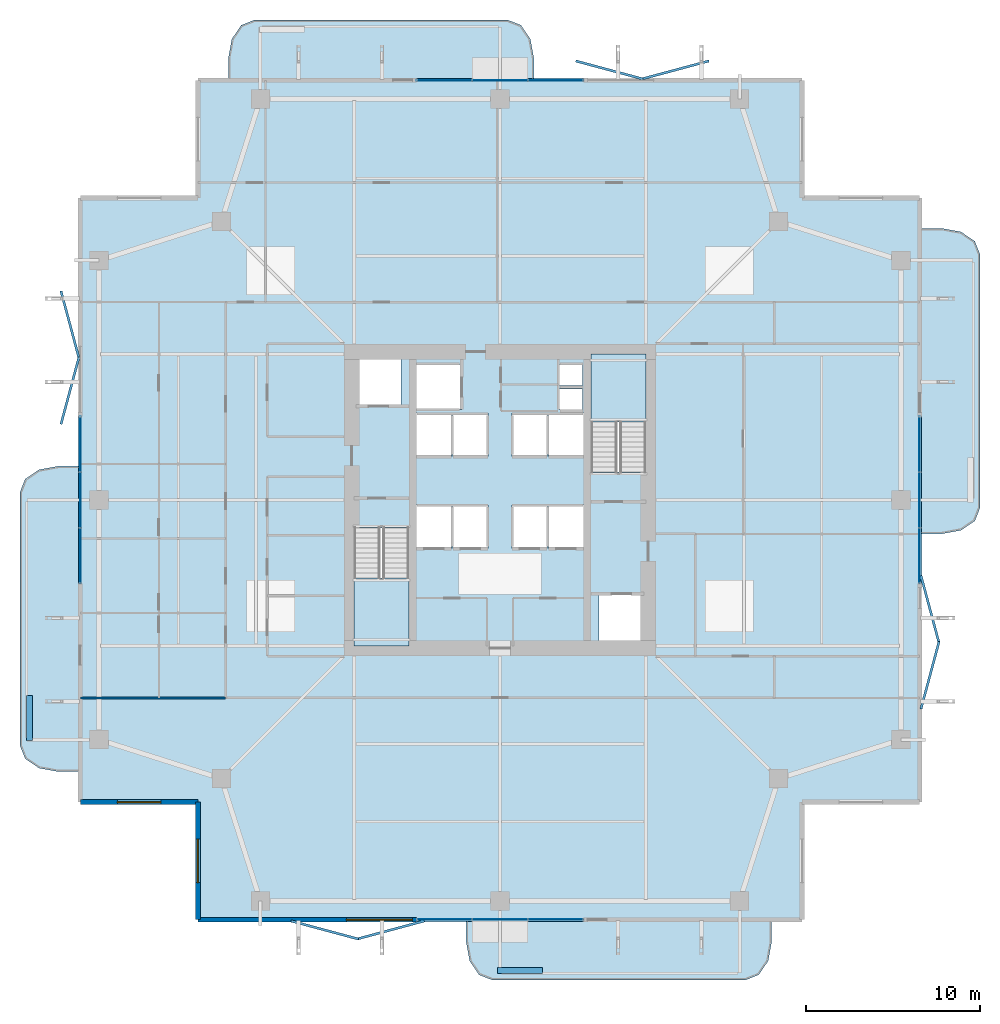
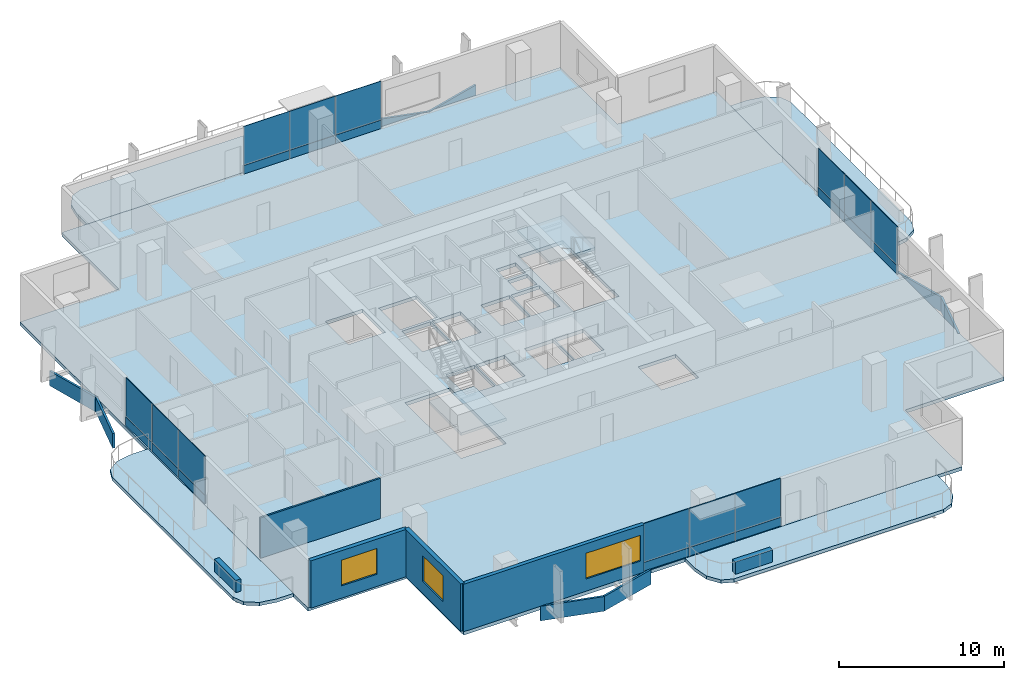
# One storey, part 17 of 25: 32 plates, 7 slabs, 6 walls, 3 windows, 3 openings, 6 elements without a shape of their own.
"""IFC4 building model written with IfcOpenShell, lengths in metres."""

from ifc_helpers import new_model, si_unit, direction, frame, frame_2d, origin, origin_2d, place, context, subcontext, project, spatial, polyline, rectangle, outline, extrude, material, layer, layer_set, type_object, element, fill, aggregate, save


model = new_model("IFC4")

# Units and contexts
model_context = context("Model", 3, precision=1e-05, world=origin(), true_north=direction((0.0, 1.0)))
body_context = subcontext(model_context, "Body", "Model", "MODEL_VIEW")
ifc_project = project(units=[si_unit("LENGTHUNIT", "METRE"), si_unit("AREAUNIT", "SQUARE_METRE"), si_unit("VOLUMEUNIT", "CUBIC_METRE"), si_unit("PLANEANGLEUNIT", "RADIAN"), si_unit("MASSUNIT", "GRAM", prefix="KILO")], contexts=[model_context])

# Site, building, storey
site_placement = place(None, origin())
site = spatial("IfcSite", under=ifc_project, at=site_placement, CompositionType="ELEMENT")
building_placement = place(site_placement, origin())
building = spatial("IfcBuilding", under=site, at=building_placement, Name="Belovzor Exchange Tower", CompositionType="ELEMENT")
storey_placement = place(building_placement, frame((0.0, 0.0, 153.300048828125)))
storey = spatial("IfcBuildingStorey", under=building, at=storey_placement, Name="L37", CompositionType="ELEMENT", Elevation=153.300048828125)

# Slab
ifc_material_1 = material(Name="Concrete C40/50", Category="concrete")
ifc_layer_1 = layer(ifc_material_1, 0.2548828125)
ifc_layer_set_1 = layer_set([ifc_layer_1], Name="Concrete C40/50")
slab_type_1 = type_object("IfcSlabType", Name="Composite Waist Floor Deck Slab 255", PredefinedType="FLOOR", material=ifc_layer_set_1)
slab_1_placement = place(storey_placement, frame((0.0, 0.0, -0.255126953125)))
element("IfcSlab", 1, at=slab_1_placement, inside=storey, type_object=slab_type_1, Name="SL-F255 Structural Slab L37", PredefinedType="FLOOR", context=body_context, shape_type="SweptSolid", body=[
    extrude(outline(polyline([(11.39990234375, 4.5), (46.199951171875, 4.5), (46.199951171875, 11.39990234375), (53.10009765625, 11.39990234375), (53.10009765625, 46.199951171875), (46.199951171875, 46.199951171875), (46.199951171875, 53.10009765625), (11.39990234375, 53.10009765625), (11.39990234375, 46.199951171875), (4.5, 46.199951171875), (4.5, 11.39990234375), (11.39990234375, 11.39990234375), (11.39990234375, 4.5)]), holes=[polyline([(20.39990234375, 27.175048828125), (20.39990234375, 20.39990234375), (23.550048828125, 20.39990234375), (23.550048828125, 27.175048828125), (20.39990234375, 27.175048828125)]), polyline([(37.199951171875, 30.425048828125), (37.199951171875, 37.199951171875), (34.050048828125, 37.199951171875), (34.050048828125, 30.425048828125), (37.199951171875, 30.425048828125)]), polyline([(20.5, 34.199951171875), (23.10009765625, 34.199951171875), (23.10009765625, 37.0), (20.5, 37.0), (20.5, 34.199951171875)]), polyline([(34.5, 20.60009765625), (37.10009765625, 20.60009765625), (37.10009765625, 23.39990234375), (34.5, 23.39990234375), (34.5, 20.60009765625)]), polyline([(24.0, 34.0), (26.60009765625, 34.0), (26.60009765625, 36.60009765625), (24.0, 36.60009765625), (24.0, 34.0)]), polyline([(24.0, 26.0), (26.0, 26.0), (26.0, 28.5), (24.0, 28.5), (24.0, 26.0)]), polyline([(26.10009765625, 26.0), (28.10009765625, 26.0), (28.10009765625, 28.5), (26.10009765625, 28.5), (26.10009765625, 26.0)]), polyline([(29.5, 26.0), (31.5, 26.0), (31.5, 28.5), (29.5, 28.5), (29.5, 26.0)]), polyline([(31.60009765625, 26.0), (33.60009765625, 26.0), (33.60009765625, 28.5), (31.60009765625, 28.5), (31.60009765625, 26.0)]), polyline([(24.0, 31.300048828125), (26.0, 31.300048828125), (26.0, 33.800048828125), (24.0, 33.800048828125), (24.0, 31.300048828125)]), polyline([(26.10009765625, 31.300048828125), (28.10009765625, 31.300048828125), (28.10009765625, 33.800048828125), (26.10009765625, 33.800048828125), (26.10009765625, 31.300048828125)]), polyline([(29.5, 31.300048828125), (31.5, 31.300048828125), (31.5, 33.800048828125), (29.5, 33.800048828125), (29.5, 31.300048828125)]), polyline([(31.60009765625, 31.300048828125), (33.60009765625, 31.300048828125), (33.60009765625, 33.800048828125), (31.60009765625, 33.800048828125), (31.60009765625, 31.300048828125)]), polyline([(32.199951171875, 34.0), (33.550048828125, 34.0), (33.550048828125, 35.199951171875), (32.199951171875, 35.199951171875), (32.199951171875, 34.0)]), polyline([(32.199951171875, 35.39990234375), (33.550048828125, 35.39990234375), (33.550048828125, 36.60009765625), (32.199951171875, 36.60009765625), (32.199951171875, 35.39990234375)])]), origin(), (0.0, 0.0, 1.0), 0.255126953125),
])

# Curtain wall, plates
ifc_material_2 = material(Name="Anodised Aluminium Framing", Category="aluminium")
ifc_layer_2 = layer(ifc_material_2, 0.179931640625)
ifc_layer_set_2 = layer_set([ifc_layer_2], Name="Anodised Aluminium Framing")
curtain_wall_type = type_object("IfcCurtainWallType", Name="Recessed Loggia Low-Iron Triple-Glazed Curtain Wall", PredefinedType="NOTDEFINED", material=ifc_layer_set_2)
curtain_wall_1_placement = place(storey_placement, origin())
curtain_wall_1 = element("IfcCurtainWall", 2, at=curtain_wall_1_placement, inside=storey, type_object=curtain_wall_type, Name="CW3 Recessed Loggia Low-Iron Triple-Glazed Curtain Wall L37", PredefinedType="NOTDEFINED")
ifc_material_3 = material(Name="Solar-Control Triple Glazing", Category="glass")
ifc_layer_3 = layer(ifc_material_3, 0.0439453125)
ifc_layer_set_3 = layer_set([ifc_layer_3], Name="Solar-Control Triple Glazing")
plate_type_1 = type_object("IfcPlateType", Name="Insulated Solar Glazing Curtain Panel 44", PredefinedType="CURTAIN_PANEL", material=ifc_layer_set_3)
plate_1_placement = place(storey_placement, frame((32.0, 4.6298828125, 0.630859375), z_axis=(0.0, 0.0, 1.0), x_axis=(-1.0, 0.0, 0.0)))
plate_1 = element("IfcPlate", 3, at=plate_1_placement, type_object=plate_type_1, Name="GLZ-44 Glazed Curtain Panel 1", PredefinedType="CURTAIN_PANEL", context=body_context, shape_type="SweptSolid", body=[
    extrude(rectangle(XDim=3.18408203125, YDim=0.0439453125, at=origin_2d()), origin(), (0.0, 0.0, 1.0), 2.864013671875),
])
plate_2_placement = place(storey_placement, frame((28.800048828125, 4.6298828125, 0.630859375), z_axis=(0.0, 0.0, 1.0), x_axis=(-1.0, 0.0, 0.0)))
plate_2 = element("IfcPlate", 4, at=plate_2_placement, type_object=plate_type_1, Name="GLZ-44 Glazed Curtain Panel 2", PredefinedType="CURTAIN_PANEL", context=body_context, shape_type="SweptSolid", body=[
    extrude(rectangle(XDim=3.18408203125, YDim=0.0439453125, at=origin_2d()), origin(), (0.0, 0.0, 1.0), 2.864013671875),
])
plate_3_placement = place(storey_placement, frame((25.60009765625, 4.6298828125, 0.630859375), z_axis=(0.0, 0.0, 1.0), x_axis=(-1.0, 0.0, 0.0)))
plate_3 = element("IfcPlate", 5, at=plate_3_placement, type_object=plate_type_1, Name="GLZ-44 Glazed Curtain Panel 3", PredefinedType="CURTAIN_PANEL", context=body_context, shape_type="SweptSolid", body=[
    extrude(rectangle(XDim=3.18408203125, YDim=0.0439453125, at=origin_2d()), origin(), (0.0, 0.0, 1.0), 2.864013671875),
])

curtain_wall_2_placement = place(storey_placement, origin())
curtain_wall_2 = element("IfcCurtainWall", 6, at=curtain_wall_2_placement, inside=storey, type_object=curtain_wall_type, Name="CW3 Recessed Loggia Low-Iron Triple-Glazed Curtain Wall L37", PredefinedType="NOTDEFINED")
plate_4_placement = place(storey_placement, frame((25.60009765625, 52.969970703125, 0.630859375), z_axis=(0.0, 0.0, 1.0), x_axis=(1.0, 0.0, 0.0)))
plate_4 = element("IfcPlate", 7, at=plate_4_placement, type_object=plate_type_1, Name="GLZ-44 Glazed Curtain Panel 1", PredefinedType="CURTAIN_PANEL", context=body_context, shape_type="SweptSolid", body=[
    extrude(rectangle(XDim=3.18408203125, YDim=0.0439453125, at=origin_2d()), origin(), (0.0, 0.0, 1.0), 2.864013671875),
])
plate_5_placement = place(storey_placement, frame((28.800048828125, 52.969970703125, 0.630859375), z_axis=(0.0, 0.0, 1.0), x_axis=(1.0, 0.0, 0.0)))
plate_5 = element("IfcPlate", 8, at=plate_5_placement, type_object=plate_type_1, Name="GLZ-44 Glazed Curtain Panel 2", PredefinedType="CURTAIN_PANEL", context=body_context, shape_type="SweptSolid", body=[
    extrude(rectangle(XDim=3.18408203125, YDim=0.0439453125, at=origin_2d()), origin(), (0.0, 0.0, 1.0), 2.864013671875),
])
plate_6_placement = place(storey_placement, frame((32.0, 52.969970703125, 0.630859375), z_axis=(0.0, 0.0, 1.0), x_axis=(1.0, 0.0, 0.0)))
plate_6 = element("IfcPlate", 9, at=plate_6_placement, type_object=plate_type_1, Name="GLZ-44 Glazed Curtain Panel 3", PredefinedType="CURTAIN_PANEL", context=body_context, shape_type="SweptSolid", body=[
    extrude(rectangle(XDim=3.18408203125, YDim=0.0439453125, at=origin_2d()), origin(), (0.0, 0.0, 1.0), 2.864013671875),
])

curtain_wall_3_placement = place(storey_placement, origin())
curtain_wall_3 = element("IfcCurtainWall", 10, at=curtain_wall_3_placement, inside=storey, type_object=curtain_wall_type, Name="CW3 Recessed Loggia Low-Iron Triple-Glazed Curtain Wall L37", PredefinedType="NOTDEFINED")
plate_7_placement = place(storey_placement, frame((4.6298828125, 25.60009765625, 0.630859375), z_axis=(0.0, 0.0, 1.0), x_axis=(0.0, 1.0, 0.0)))
plate_7 = element("IfcPlate", 11, at=plate_7_placement, type_object=plate_type_1, Name="GLZ-44 Glazed Curtain Panel 1", PredefinedType="CURTAIN_PANEL", context=body_context, shape_type="SweptSolid", body=[
    extrude(rectangle(XDim=3.18408203125, YDim=0.0439453125, at=origin_2d()), origin(), (0.0, 0.0, 1.0), 2.864013671875),
])
plate_8_placement = place(storey_placement, frame((4.6298828125, 28.800048828125, 0.630859375), z_axis=(0.0, 0.0, 1.0), x_axis=(0.0, 1.0, 0.0)))
plate_8 = element("IfcPlate", 12, at=plate_8_placement, type_object=plate_type_1, Name="GLZ-44 Glazed Curtain Panel 2", PredefinedType="CURTAIN_PANEL", context=body_context, shape_type="SweptSolid", body=[
    extrude(rectangle(XDim=3.18408203125, YDim=0.0439453125, at=origin_2d()), origin(), (0.0, 0.0, 1.0), 2.864013671875),
])
plate_9_placement = place(storey_placement, frame((4.6298828125, 32.0, 0.630859375), z_axis=(0.0, 0.0, 1.0), x_axis=(0.0, 1.0, 0.0)))
plate_9 = element("IfcPlate", 13, at=plate_9_placement, type_object=plate_type_1, Name="GLZ-44 Glazed Curtain Panel 3", PredefinedType="CURTAIN_PANEL", context=body_context, shape_type="SweptSolid", body=[
    extrude(rectangle(XDim=3.18408203125, YDim=0.0439453125, at=origin_2d()), origin(), (0.0, 0.0, 1.0), 2.864013671875),
])

curtain_wall_4_placement = place(storey_placement, origin())
curtain_wall_4 = element("IfcCurtainWall", 14, at=curtain_wall_4_placement, inside=storey, type_object=curtain_wall_type, Name="CW3 Recessed Loggia Low-Iron Triple-Glazed Curtain Wall L37", PredefinedType="NOTDEFINED")
plate_10_placement = place(storey_placement, frame((52.969970703125, 32.0, 0.630859375), z_axis=(0.0, 0.0, 1.0), x_axis=(0.0, -1.0, 0.0)))
plate_10 = element("IfcPlate", 15, at=plate_10_placement, type_object=plate_type_1, Name="GLZ-44 Glazed Curtain Panel 1", PredefinedType="CURTAIN_PANEL", context=body_context, shape_type="SweptSolid", body=[
    extrude(rectangle(XDim=3.18408203125, YDim=0.0439453125, at=origin_2d()), origin(), (0.0, 0.0, 1.0), 2.864013671875),
])
plate_11_placement = place(storey_placement, frame((52.969970703125, 28.800048828125, 0.630859375), z_axis=(0.0, 0.0, 1.0), x_axis=(0.0, -1.0, 0.0)))
plate_11 = element("IfcPlate", 16, at=plate_11_placement, type_object=plate_type_1, Name="GLZ-44 Glazed Curtain Panel 2", PredefinedType="CURTAIN_PANEL", context=body_context, shape_type="SweptSolid", body=[
    extrude(rectangle(XDim=3.18408203125, YDim=0.0439453125, at=origin_2d()), origin(), (0.0, 0.0, 1.0), 2.864013671875),
])
plate_12_placement = place(storey_placement, frame((52.969970703125, 25.60009765625, 0.630859375), z_axis=(0.0, 0.0, 1.0), x_axis=(0.0, -1.0, 0.0)))
plate_12 = element("IfcPlate", 17, at=plate_12_placement, type_object=plate_type_1, Name="GLZ-44 Glazed Curtain Panel 3", PredefinedType="CURTAIN_PANEL", context=body_context, shape_type="SweptSolid", body=[
    extrude(rectangle(XDim=3.18408203125, YDim=0.0439453125, at=origin_2d()), origin(), (0.0, 0.0, 1.0), 2.864013671875),
])

# Plates
ifc_material_4 = material(Name="Extruded Architectural Terracotta", Category="masonry")
ifc_layer_4 = layer(ifc_material_4, 0.139892578125)
ifc_layer_set_4 = layer_set([ifc_layer_4], Name="Extruded Architectural Terracotta")
plate_type_2 = type_object("IfcPlateType", Name="Mid-Tower Folded Zigzag Terracotta Spandrel Louvre 120", PredefinedType="USERDEFINED", material=ifc_layer_set_4)
for number, where, z_axis, x_axis, name in (
    (18, (18.699951171875, 4.030029296875, -1.065185546875), (0.0, 0.0, 1.0), (0.965812803231, -0.259240485101, 0.0), "LVR-ZZ2 Zigzag Terracotta Spandrel Louvre L37 S1A"),
    (19, (22.5, 4.030029296875, -1.065185546875), (0.0, 0.0, 1.0), (0.965812803231, 0.259240485101, 0.0), "LVR-ZZ2 Zigzag Terracotta Spandrel Louvre L37 S1B"),
    (20, (53.570068359375, 18.699951171875, -1.065185546875), (0.0, 0.0, 1.0), (0.259240485101, 0.965812803231, 0.0), "LVR-ZZ2 Zigzag Terracotta Spandrel Louvre L37 E1A"),
    (21, (53.570068359375, 22.5, -1.065185546875), (0.0, 0.0, 1.0), (-0.259240485101, 0.965812803231, 0.0), "LVR-ZZ2 Zigzag Terracotta Spandrel Louvre L37 E1B"),
    (22, (35.10009765625, 53.570068359375, -1.065185546875), (0.0, 0.0, 1.0), (0.965812803231, -0.259240485101, 0.0), "LVR-ZZ2 Zigzag Terracotta Spandrel Louvre L37 N2A"),
    (23, (38.89990234375, 53.570068359375, -1.065185546875), (0.0, 0.0, 1.0), (0.965812803231, 0.259240485101, 0.0), "LVR-ZZ2 Zigzag Terracotta Spandrel Louvre L37 N2B"),
    (24, (4.030029296875, 35.10009765625, -1.065185546875), (0.0, 0.0, 1.0), (0.259240485101, 0.965812803231, 0.0), "LVR-ZZ2 Zigzag Terracotta Spandrel Louvre L37 W2A"),
    (25, (4.030029296875, 38.89990234375, -1.065185546875), (0.0, 0.0, 1.0), (-0.259240485101, 0.965812803231, 0.0), "LVR-ZZ2 Zigzag Terracotta Spandrel Louvre L37 W2B"),
):
    element("IfcPlate", number, at=place(storey_placement, frame(where, z_axis=z_axis, x_axis=x_axis)), inside=storey, type_object=plate_type_2, Name=name, ObjectType="SPANDREL_LOUVRE", PredefinedType="USERDEFINED", context=body_context, shape_type="SweptSolid", body=[
        extrude(rectangle(XDim=4.014892578125, YDim=0.139892578125, at=origin_2d()), origin(), (0.0, 0.0, 1.0), 1.080078125),
    ])

# Stair, slab
ifc_material_5 = material(Name="Concrete C40/50", Category="concrete")
stair_type = type_object("IfcStairType", Name="Reinforced Concrete Dogleg Escape Stair 1350", PredefinedType="HALF_TURN_STAIR", material=ifc_material_5)
stair_1_placement = place(storey_placement, origin())
stair_1 = element("IfcStair", 26, at=stair_1_placement, inside=storey, type_object=stair_type, Name="L37 ST-1", PredefinedType="HALF_TURN_STAIR")
ifc_material_6 = material(Name="Concrete C40/50", Category="concrete")
ifc_layer_5 = layer(ifc_material_6, 0.199951171875)
ifc_layer_set_5 = layer_set([ifc_layer_5], Name="Concrete C40/50")
slab_type_2 = type_object("IfcSlabType", Name="Reinforced Concrete Stair Half-Landing Slab 200", PredefinedType="LANDING", material=ifc_layer_set_5)
slab_2_placement = place(storey_placement, frame((0.0, 0.0, 1.675048828125)))
slab_2 = element("IfcSlab", 27, at=slab_2_placement, type_object=slab_type_2, Name="ST-1 landing 1", PredefinedType="LANDING", context=body_context, shape_type="SweptSolid", body=[
    extrude(outline(polyline([(20.39990234375, 24.300048828125), (20.39990234375, 20.39990234375), (23.550048828125, 20.39990234375), (23.550048828125, 24.300048828125), (20.39990234375, 24.300048828125)])), origin(), (0.0, 0.0, 1.0), 0.199951171875),
])
aggregate(stair_1, [slab_2])

stair_2_placement = place(storey_placement, origin())
stair_2 = element("IfcStair", 28, at=stair_2_placement, inside=storey, type_object=stair_type, Name="L37 ST-2", PredefinedType="HALF_TURN_STAIR")
slab_3_placement = place(storey_placement, frame((0.0, 0.0, 1.675048828125)))
slab_3 = element("IfcSlab", 29, at=slab_3_placement, type_object=slab_type_2, Name="ST-2 landing 1", PredefinedType="LANDING", context=body_context, shape_type="SweptSolid", body=[
    extrude(outline(polyline([(37.199951171875, 33.300048828125), (37.199951171875, 37.199951171875), (34.050048828125, 37.199951171875), (34.050048828125, 33.300048828125), (37.199951171875, 33.300048828125)])), origin(), (0.0, 0.0, 1.0), 0.199951171875),
])
aggregate(stair_2, [slab_3])

# Plate
ifc_material_7 = material(Name="Extruded Architectural Terracotta", Category="masonry")
ifc_layer_6 = layer(ifc_material_7, 0.090087890625)
ifc_layer_set_6 = layer_set([ifc_layer_6], Name="Extruded Architectural Terracotta")
plate_type_3 = type_object("IfcPlateType", Name="Terracotta Shadow-Box Spandrel Panel 90", PredefinedType="CURTAIN_PANEL", material=ifc_layer_set_6)
plate_13_placement = place(storey_placement, frame((32.0, 4.6298828125, 0.00048828125), z_axis=(0.0, 0.0, 1.0), x_axis=(-1.0, 0.0, 0.0)))
plate_13 = element("IfcPlate", 30, at=plate_13_placement, type_object=plate_type_3, Name="SPD-90 Spandrel Panel 1", PredefinedType="CURTAIN_PANEL", context=body_context, shape_type="SweptSolid", body=[
    extrude(rectangle(XDim=3.18408203125, YDim=0.090087890625, at=origin_2d()), origin(), (0.0, 0.0, 1.0), 0.626953125),
])

plate_14_placement = place(storey_placement, frame((28.800048828125, 4.6298828125, 0.00048828125), z_axis=(0.0, 0.0, 1.0), x_axis=(-1.0, 0.0, 0.0)))
plate_14 = element("IfcPlate", 31, at=plate_14_placement, type_object=plate_type_3, Name="SPD-90 Spandrel Panel 2", PredefinedType="CURTAIN_PANEL", context=body_context, shape_type="SweptSolid", body=[
    extrude(rectangle(XDim=3.18408203125, YDim=0.090087890625, at=origin_2d()), origin(), (0.0, 0.0, 1.0), 0.626953125),
])

plate_15_placement = place(storey_placement, frame((25.60009765625, 4.6298828125, 0.00048828125), z_axis=(0.0, 0.0, 1.0), x_axis=(-1.0, 0.0, 0.0)))
plate_15 = element("IfcPlate", 32, at=plate_15_placement, type_object=plate_type_3, Name="SPD-90 Spandrel Panel 3", PredefinedType="CURTAIN_PANEL", context=body_context, shape_type="SweptSolid", body=[
    extrude(rectangle(XDim=3.18408203125, YDim=0.090087890625, at=origin_2d()), origin(), (0.0, 0.0, 1.0), 0.626953125),
])

aggregate(curtain_wall_1, [plate_13, plate_1, plate_14, plate_2, plate_15, plate_3])

plate_16_placement = place(storey_placement, frame((25.60009765625, 52.969970703125, 0.00048828125), z_axis=(0.0, 0.0, 1.0), x_axis=(1.0, 0.0, 0.0)))
plate_16 = element("IfcPlate", 33, at=plate_16_placement, type_object=plate_type_3, Name="SPD-90 Spandrel Panel 1", PredefinedType="CURTAIN_PANEL", context=body_context, shape_type="SweptSolid", body=[
    extrude(rectangle(XDim=3.18408203125, YDim=0.090087890625, at=origin_2d()), origin(), (0.0, 0.0, 1.0), 0.626953125),
])

plate_17_placement = place(storey_placement, frame((28.800048828125, 52.969970703125, 0.00048828125), z_axis=(0.0, 0.0, 1.0), x_axis=(1.0, 0.0, 0.0)))
plate_17 = element("IfcPlate", 34, at=plate_17_placement, type_object=plate_type_3, Name="SPD-90 Spandrel Panel 2", PredefinedType="CURTAIN_PANEL", context=body_context, shape_type="SweptSolid", body=[
    extrude(rectangle(XDim=3.18408203125, YDim=0.090087890625, at=origin_2d()), origin(), (0.0, 0.0, 1.0), 0.626953125),
])

plate_18_placement = place(storey_placement, frame((32.0, 52.969970703125, 0.00048828125), z_axis=(0.0, 0.0, 1.0), x_axis=(1.0, 0.0, 0.0)))
plate_18 = element("IfcPlate", 35, at=plate_18_placement, type_object=plate_type_3, Name="SPD-90 Spandrel Panel 3", PredefinedType="CURTAIN_PANEL", context=body_context, shape_type="SweptSolid", body=[
    extrude(rectangle(XDim=3.18408203125, YDim=0.090087890625, at=origin_2d()), origin(), (0.0, 0.0, 1.0), 0.626953125),
])

aggregate(curtain_wall_2, [plate_16, plate_4, plate_17, plate_5, plate_18, plate_6])

plate_19_placement = place(storey_placement, frame((4.6298828125, 25.60009765625, 0.00048828125), z_axis=(0.0, 0.0, 1.0), x_axis=(0.0, 1.0, 0.0)))
plate_19 = element("IfcPlate", 36, at=plate_19_placement, type_object=plate_type_3, Name="SPD-90 Spandrel Panel 1", PredefinedType="CURTAIN_PANEL", context=body_context, shape_type="SweptSolid", body=[
    extrude(rectangle(XDim=3.18408203125, YDim=0.090087890625, at=origin_2d()), origin(), (0.0, 0.0, 1.0), 0.626953125),
])

plate_20_placement = place(storey_placement, frame((4.6298828125, 28.800048828125, 0.00048828125), z_axis=(0.0, 0.0, 1.0), x_axis=(0.0, 1.0, 0.0)))
plate_20 = element("IfcPlate", 37, at=plate_20_placement, type_object=plate_type_3, Name="SPD-90 Spandrel Panel 2", PredefinedType="CURTAIN_PANEL", context=body_context, shape_type="SweptSolid", body=[
    extrude(rectangle(XDim=3.18408203125, YDim=0.090087890625, at=origin_2d()), origin(), (0.0, 0.0, 1.0), 0.626953125),
])

plate_21_placement = place(storey_placement, frame((4.6298828125, 32.0, 0.00048828125), z_axis=(0.0, 0.0, 1.0), x_axis=(0.0, 1.0, 0.0)))
plate_21 = element("IfcPlate", 38, at=plate_21_placement, type_object=plate_type_3, Name="SPD-90 Spandrel Panel 3", PredefinedType="CURTAIN_PANEL", context=body_context, shape_type="SweptSolid", body=[
    extrude(rectangle(XDim=3.18408203125, YDim=0.090087890625, at=origin_2d()), origin(), (0.0, 0.0, 1.0), 0.626953125),
])

aggregate(curtain_wall_3, [plate_19, plate_7, plate_20, plate_8, plate_21, plate_9])

plate_22_placement = place(storey_placement, frame((52.969970703125, 32.0, 0.00048828125), z_axis=(0.0, 0.0, 1.0), x_axis=(0.0, -1.0, 0.0)))
plate_22 = element("IfcPlate", 39, at=plate_22_placement, type_object=plate_type_3, Name="SPD-90 Spandrel Panel 1", PredefinedType="CURTAIN_PANEL", context=body_context, shape_type="SweptSolid", body=[
    extrude(rectangle(XDim=3.18408203125, YDim=0.090087890625, at=origin_2d()), origin(), (0.0, 0.0, 1.0), 0.626953125),
])

plate_23_placement = place(storey_placement, frame((52.969970703125, 28.800048828125, 0.00048828125), z_axis=(0.0, 0.0, 1.0), x_axis=(0.0, -1.0, 0.0)))
plate_23 = element("IfcPlate", 40, at=plate_23_placement, type_object=plate_type_3, Name="SPD-90 Spandrel Panel 2", PredefinedType="CURTAIN_PANEL", context=body_context, shape_type="SweptSolid", body=[
    extrude(rectangle(XDim=3.18408203125, YDim=0.090087890625, at=origin_2d()), origin(), (0.0, 0.0, 1.0), 0.626953125),
])

plate_24_placement = place(storey_placement, frame((52.969970703125, 25.60009765625, 0.00048828125), z_axis=(0.0, 0.0, 1.0), x_axis=(0.0, -1.0, 0.0)))
plate_24 = element("IfcPlate", 41, at=plate_24_placement, type_object=plate_type_3, Name="SPD-90 Spandrel Panel 3", PredefinedType="CURTAIN_PANEL", context=body_context, shape_type="SweptSolid", body=[
    extrude(rectangle(XDim=3.18408203125, YDim=0.090087890625, at=origin_2d()), origin(), (0.0, 0.0, 1.0), 0.626953125),
])

aggregate(curtain_wall_4, [plate_22, plate_10, plate_23, plate_11, plate_24, plate_12])

# Slabs
ifc_material_8 = material(Name="Concrete C40/50", Category="concrete")
ifc_layer_7 = layer(ifc_material_8, 0.25)
ifc_layer_set_7 = layer_set([ifc_layer_7], Name="Concrete C40/50")
slab_type_3 = type_object("IfcSlabType", Name="Thermally Broken Planted Balcony Slab 250", PredefinedType="FLOOR", material=ifc_layer_set_7)
slab_4_placement = place(storey_placement, frame((0.0, 0.0, -0.25)))
element("IfcSlab", 42, at=slab_4_placement, inside=storey, type_object=slab_type_3, Name="SL-BAL220 Planted Balcony Loggia L37 South", PredefinedType="FLOOR", context=body_context, shape_type="SweptSolid", body=[
    extrude(outline(polyline([(26.85009765625, 4.514892578125), (26.85009765625, 3.35009765625), (27.051025390625, 2.25), (27.60009765625, 1.445068359375), (28.35009765625, 1.14990234375), (42.949951171875, 1.14990234375), (43.699951171875, 1.445068359375), (44.2490234375, 2.25), (44.449951171875, 3.35009765625), (44.449951171875, 4.514892578125), (26.85009765625, 4.514892578125)])), origin(), (0.0, 0.0, 1.0), 0.25),
])
slab_5_placement = place(storey_placement, frame((0.0, 0.0, -0.25)))
element("IfcSlab", 43, at=slab_5_placement, inside=storey, type_object=slab_type_3, Name="SL-BAL220 Planted Balcony Loggia L37 North", PredefinedType="FLOOR", context=body_context, shape_type="SweptSolid", body=[
    extrude(outline(polyline([(30.75, 53.0849609375), (30.75, 54.25), (30.549072265625, 55.35009765625), (30.0, 56.155029296875), (29.25, 56.449951171875), (14.64990234375, 56.449951171875), (13.89990234375, 56.155029296875), (13.35107421875, 55.35009765625), (13.14990234375, 54.25), (13.14990234375, 53.0849609375), (30.75, 53.0849609375)])), origin(), (0.0, 0.0, 1.0), 0.25),
])
slab_6_placement = place(storey_placement, frame((0.0, 0.0, -0.25)))
element("IfcSlab", 44, at=slab_6_placement, inside=storey, type_object=slab_type_3, Name="SL-BAL220 Planted Balcony Loggia L37 East", PredefinedType="FLOOR", context=body_context, shape_type="SweptSolid", body=[
    extrude(outline(polyline([(53.0849609375, 26.85009765625), (54.25, 26.85009765625), (55.35009765625, 27.051025390625), (56.155029296875, 27.60009765625), (56.449951171875, 28.35009765625), (56.449951171875, 42.949951171875), (56.155029296875, 43.699951171875), (55.35009765625, 44.2490234375), (54.25, 44.449951171875), (53.0849609375, 44.449951171875), (53.0849609375, 26.85009765625)])), origin(), (0.0, 0.0, 1.0), 0.25),
])
slab_7_placement = place(storey_placement, frame((0.0, 0.0, -0.25)))
element("IfcSlab", 45, at=slab_7_placement, inside=storey, type_object=slab_type_3, Name="SL-BAL220 Planted Balcony Loggia L37 West", PredefinedType="FLOOR", context=body_context, shape_type="SweptSolid", body=[
    extrude(outline(polyline([(4.514892578125, 30.75), (3.35009765625, 30.75), (2.25, 30.549072265625), (1.445068359375, 30.0), (1.14990234375, 29.25), (1.14990234375, 14.64990234375), (1.445068359375, 13.89990234375), (2.25, 13.35107421875), (3.35009765625, 13.14990234375), (4.514892578125, 13.14990234375), (4.514892578125, 30.75)])), origin(), (0.0, 0.0, 1.0), 0.25),
])

# Wall
ifc_material_9 = material(Name="Acoustic Plasterboard on Galvanised Studs", Category="gypsum")
ifc_layer_8 = layer(ifc_material_9, 0.1201171875)
ifc_layer_set_8 = layer_set([ifc_layer_8], Name="Acoustic Plasterboard on Galvanised Studs")
wall_type_1 = type_object("IfcWallType", Name="Acoustic Double-Stud Partition Wall 120", PredefinedType="PARTITIONING", material=ifc_layer_set_8)
wall_1_placement = place(storey_placement, frame((4.6298828125, 17.39990234375, 0.0), z_axis=(0.0, 0.0, 1.0), x_axis=(1.0, 0.0, 0.0)))
element("IfcWall", 46, at=wall_1_placement, inside=storey, type_object=wall_type_1, Name="W-P120 Partition Wall W-L37-END-SW", PredefinedType="PARTITIONING", context=body_context, shape_type="SweptSolid", body=[
    extrude(rectangle(XDim=8.3701171875, YDim=0.1201171875, at=frame_2d((4.18505859375, 0.0))), origin(), (0.0, 0.0, 1.0), 2.97998046875),
])

# Wall, opening, window
ifc_material_10 = material(Name="Precast concrete C40/50", Category="concrete")
ifc_layer_9 = layer(ifc_material_10, 0.280029296875)
ifc_layer_set_9 = layer_set([ifc_layer_9], Name="Precast concrete C40/50")
wall_type_2 = type_object("IfcWallType", Name="Precast Concrete Notched Corner Frame Wall 280", PredefinedType="SOLIDWALL", material=ifc_layer_set_9)
wall_2_placement = place(storey_placement, frame((11.39990234375, 4.6298828125, 0.0), z_axis=(0.0, 0.0, 1.0), x_axis=(0.0, 1.0, 0.0)))
wall_2 = element("IfcWall", 47, at=wall_2_placement, inside=storey, type_object=wall_type_2, Name="W-CRN280 Precast Concrete Notched Corner Frame Wall 280 L37", PredefinedType="SOLIDWALL", context=body_context, shape_type="SweptSolid", body=[
    extrude(rectangle(XDim=6.77001953125, YDim=0.280029296875, at=frame_2d((3.385009765625, 0.0))), origin(), (0.0, 0.0, 1.0), 3.494873046875),
])
opening_1_placement = place(wall_2_placement, frame((2.135009765625, 0.0, 0.89990234375)))
opening_1 = element("IfcOpeningElement", 48, at=opening_1_placement, cuts=wall_2, Name="Opening WN-CRN250", PredefinedType="OPENING", context=body_context, shape_type="SweptSolid", body=[
    extrude(rectangle(XDim=2.5, YDim=1.89990234375, at=frame_2d((1.25, 0.949951171875))), frame((0.0, 0.14990234375, 0.0), z_axis=(0.0, -1.0, 0.0), x_axis=(1.0, 0.0, 0.0)), (0.0, 0.0, 1.0), 0.300048828125),
])
ifc_material_11 = material(Name="Thermally Broken Aluminium and Triple Glazing", Category="aluminium")
window_type_1 = type_object("IfcWindowType", Name="Streamline Moderne Corner Wrap Ribbon Window 2500x1900", PartitioningType="SINGLE_PANEL", PredefinedType="WINDOW", material=ifc_material_11)
window_1_placement = place(opening_1_placement, origin())
window_1 = element("IfcWindow", 49, at=window_1_placement, inside=storey, type_object=window_type_1, Name="WN-CRN250 Streamline Moderne Corner Wrap Ribbon Window 2500x1900", OverallHeight=1.89990234375, OverallWidth=2.5, PartitioningType="SINGLE_PANEL", PredefinedType="WINDOW", context=body_context, shape_type="SweptSolid", body=[
    extrude(rectangle(XDim=2.5, YDim=1.89990234375, at=frame_2d((1.25, 0.949951171875))), frame((0.0, 0.030029296875, 0.0), z_axis=(0.0, -1.0, 0.0), x_axis=(1.0, 0.0, 0.0)), (0.0, 0.0, 1.0), 0.06005859375),
])
fill(opening_1, window_1)

wall_3_placement = place(storey_placement, frame((11.39990234375, 11.39990234375, 0.0), z_axis=(0.0, 0.0, 1.0), x_axis=(-1.0, 0.0, 0.0)))
wall_3 = element("IfcWall", 50, at=wall_3_placement, inside=storey, type_object=wall_type_2, Name="W-CRN280 Precast Concrete Notched Corner Frame Wall 280 L37", PredefinedType="SOLIDWALL", context=body_context, shape_type="SweptSolid", body=[
    extrude(rectangle(XDim=6.77001953125, YDim=0.280029296875, at=frame_2d((3.385009765625, 0.0))), origin(), (0.0, 0.0, 1.0), 3.494873046875),
])
opening_2_placement = place(wall_3_placement, frame((2.135009765625, 0.0, 0.89990234375)))
opening_2 = element("IfcOpeningElement", 51, at=opening_2_placement, cuts=wall_3, Name="Opening WN-CRN250", PredefinedType="OPENING", context=body_context, shape_type="SweptSolid", body=[
    extrude(rectangle(XDim=2.5, YDim=1.89990234375, at=frame_2d((1.25, 0.949951171875))), frame((0.0, 0.14990234375, 0.0), z_axis=(0.0, -1.0, 0.0), x_axis=(1.0, 0.0, 0.0)), (0.0, 0.0, 1.0), 0.300048828125),
])
window_2_placement = place(opening_2_placement, origin())
window_2 = element("IfcWindow", 52, at=window_2_placement, inside=storey, type_object=window_type_1, Name="WN-CRN250 Streamline Moderne Corner Wrap Ribbon Window 2500x1900", OverallHeight=1.89990234375, OverallWidth=2.5, PartitioningType="SINGLE_PANEL", PredefinedType="WINDOW", context=body_context, shape_type="SweptSolid", body=[
    extrude(rectangle(XDim=2.5, YDim=1.89990234375, at=frame_2d((1.25, 0.949951171875))), frame((0.0, 0.030029296875, 0.0), z_axis=(0.0, -1.0, 0.0), x_axis=(1.0, 0.0, 0.0)), (0.0, 0.0, 1.0), 0.06005859375),
])
fill(opening_2, window_2)

ifc_material_12 = material(Name="Precast concrete C40/50", Category="concrete")
ifc_layer_10 = layer(ifc_material_12, 0.260009765625)
ifc_layer_set_10 = layer_set([ifc_layer_10], Name="Precast concrete C40/50")
wall_type_3 = type_object("IfcWallType", Name="Precast Concrete Perimeter Loggia Frame Wall 260", PredefinedType="SOLIDWALL", material=ifc_layer_set_10)
wall_4_placement = place(storey_placement, frame((24.0, 4.6298828125, 0.0), z_axis=(0.0, 0.0, 1.0), x_axis=(-1.0, 0.0, 0.0)))
wall_4 = element("IfcWall", 53, at=wall_4_placement, inside=storey, type_object=wall_type_3, Name="W-EXT260 Precast Concrete Perimeter Loggia Frame Wall 260 L37", PredefinedType="SOLIDWALL", context=body_context, shape_type="SweptSolid", body=[
    extrude(rectangle(XDim=12.60009765625, YDim=0.260009765625, at=frame_2d((6.300048828125, 0.0))), origin(), (0.0, 0.0, 1.0), 3.494873046875),
])
opening_3_placement = place(wall_4_placement, frame((0.25, 0.0, 0.89990234375)))
opening_3 = element("IfcOpeningElement", 54, at=opening_3_placement, cuts=wall_4, Name="Opening WN-RIB380", PredefinedType="OPENING", context=body_context, shape_type="SweptSolid", body=[
    extrude(rectangle(XDim=3.800048828125, YDim=1.89990234375, at=frame_2d((1.89990234375, 0.949951171875))), frame((0.0, 0.139892578125, 0.0), z_axis=(0.0, -1.0, 0.0), x_axis=(1.0, 0.0, 0.0)), (0.0, 0.0, 1.0), 0.280029296875),
])
ifc_material_13 = material(Name="Thermally Broken Aluminium and Triple Glazing", Category="aluminium")
window_type_2 = type_object("IfcWindowType", Name="Streamline Moderne Horizontal Ribbon Window 3800x1900", PartitioningType="SINGLE_PANEL", PredefinedType="WINDOW", material=ifc_material_13)
window_3_placement = place(opening_3_placement, origin())
window_3 = element("IfcWindow", 55, at=window_3_placement, inside=storey, type_object=window_type_2, Name="WN-RIB380 Streamline Moderne Horizontal Ribbon Window 3800x1900", OverallHeight=1.89990234375, OverallWidth=3.800048828125, PartitioningType="SINGLE_PANEL", PredefinedType="WINDOW", context=body_context, shape_type="SweptSolid", body=[
    extrude(rectangle(XDim=3.800048828125, YDim=1.89990234375, at=frame_2d((1.89990234375, 0.949951171875))), frame((0.0, 0.030029296875, 0.0), z_axis=(0.0, -1.0, 0.0), x_axis=(1.0, 0.0, 0.0)), (0.0, 0.0, 1.0), 0.06005859375),
])
fill(opening_3, window_3)

# Walls
ifc_material_14 = material(Name="Precast concrete C40/50", Category="concrete")
ifc_layer_11 = layer(ifc_material_14, 0.35009765625)
ifc_layer_set_11 = layer_set([ifc_layer_11], Name="Precast concrete C40/50")
wall_type_4 = type_object("IfcWallType", Name="Precast Concrete Structural Tree Planter Trough 350", PredefinedType="PARAPET", material=ifc_layer_set_11)
for number, where, z_axis, x_axis, name in (
    (56, (28.64990234375, 1.699951171875, 0.0), (0.0, 0.0, 1.0), (1.0, 0.0, 0.0), "PT-350 Precast Concrete Structural Tree Planter Trough 350 L37"),
    (57, (1.699951171875, 14.949951171875, 0.0), (0.0, 0.0, 1.0), (0.0, 1.0, 0.0), "PT-350 Precast Concrete Structural Tree Planter Trough 350 L37"),
):
    element("IfcWall", number, at=place(storey_placement, frame(where, z_axis=z_axis, x_axis=x_axis)), inside=storey, type_object=wall_type_4, Name=name, PredefinedType="PARAPET", context=body_context, shape_type="SweptSolid", body=[
        extrude(rectangle(XDim=2.60009765625, YDim=0.35009765625, at=frame_2d((1.300048828125, 0.0))), origin(), (0.0, 0.0, 1.0), 0.89990234375),
    ])

save(model, "model.ifc")
